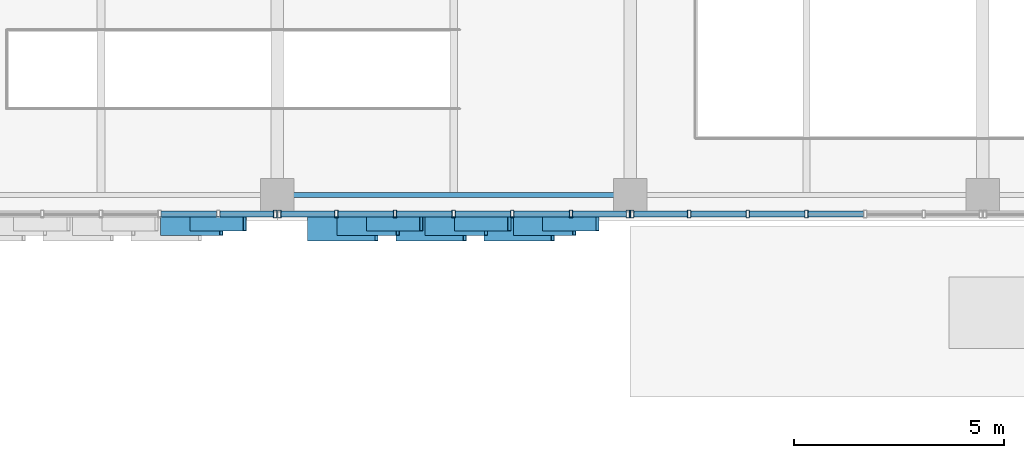
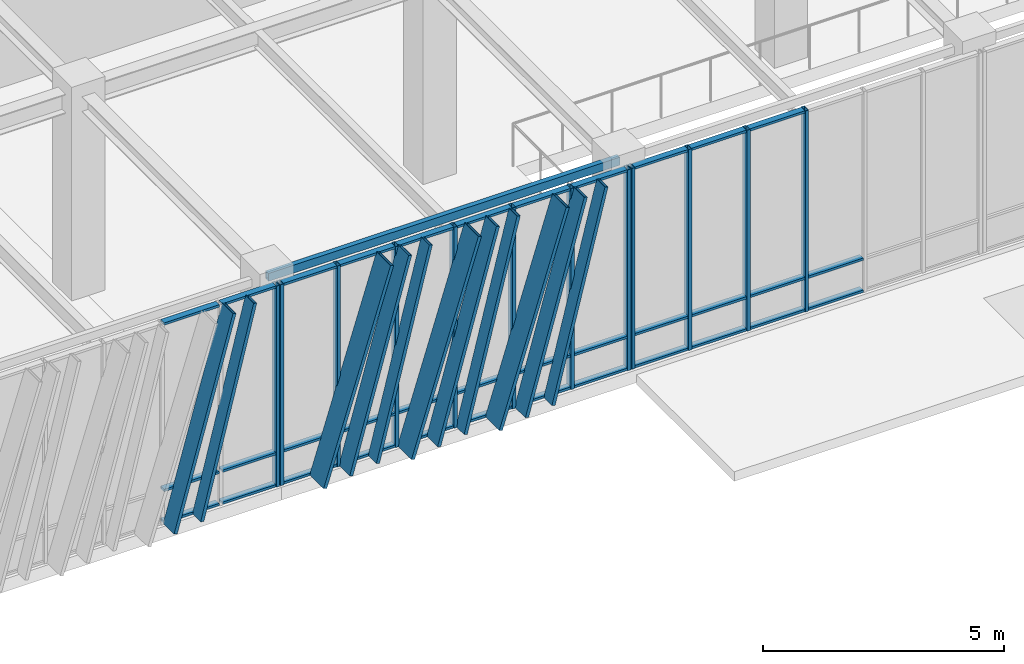
# One storey, part 16 of 139: 58 members, 1 beam, 3 elements without a shape of their own.
"""IFC4 building model written with IfcOpenShell, lengths in metres."""

from ifc_helpers import new_model, si_unit, direction, frame, origin, origin_2d, place, context, subcontext, project, spatial, hollow_rectangle, extrude, material, layer, layer_set, material_profile, profile_set, type_object, element, aggregate, save


model = new_model("IFC4")

# Units and contexts
model_context = context("Model", 3, precision=1e-05, world=origin(), true_north=direction((0.0, 1.0)))
body_context = subcontext(model_context, "Body", "Model", "MODEL_VIEW")
ifc_project = project(units=[si_unit("LENGTHUNIT", "METRE"), si_unit("AREAUNIT", "SQUARE_METRE"), si_unit("VOLUMEUNIT", "CUBIC_METRE"), si_unit("PLANEANGLEUNIT", "RADIAN"), si_unit("MASSUNIT", "GRAM", prefix="KILO")], contexts=[model_context])

# Site, building, storey
site_placement = place(None, origin())
site = spatial("IfcSite", under=ifc_project, at=site_placement, CompositionType="ELEMENT")
building_placement = place(site_placement, origin())
building = spatial("IfcBuilding", under=site, at=building_placement, Name="Zayran Congress Hotel", CompositionType="ELEMENT")
storey_placement = place(building_placement, frame((0.0, 0.0, 5.39990234375)))
storey = spatial("IfcBuildingStorey", under=building, at=storey_placement, Name="L01", CompositionType="ELEMENT", Elevation=5.39990234375)

# Beam
ifc_material_1 = material(Name="Steel S355", Category="steel")
ifc_material_profile_1 = material_profile(ifc_material_1, hollow_rectangle(XDim=0.1201171875, YDim=0.199951171875, WallThickness=0.008056640625, at=origin_2d()), Name="RHS 200x120x8")
ifc_profile_set_1 = profile_set([ifc_material_profile_1], Name="Steel S355")
beam_type = type_object("IfcBeamType", Name="TP-SP-02", PredefinedType="SPANDREL", material=ifc_profile_set_1)
beam_placement = place(storey_placement, frame((50.39990234375, 68.199951171875, 4.97998046875), z_axis=(1.0, 0.0, 0.0), x_axis=(0.0, 1.0, 0.0)))
element("IfcBeam", 1, at=beam_placement, inside=storey, type_object=beam_type, Name="BM-V1-L01-0518", PredefinedType="SPANDREL", context=body_context, shape_type="SweptSolid", body=[
    extrude(hollow_rectangle(XDim=0.1201171875, YDim=0.199951171875, WallThickness=0.008056640625, at=origin_2d()), origin(), (0.0, 0.0, 1.0), 8.400146484375),
])

# Curtain wall, member
ifc_material_2 = material(Name="Anodised aluminium and low-E insulated glass", Category="aluminium")
ifc_layer_1 = layer(ifc_material_2, 0.179931640625)
ifc_layer_set_1 = layer_set([ifc_layer_1], Name="Anodised aluminium and low-E insulated glass")
curtain_wall_type_1 = type_object("IfcCurtainWallType", Name="CW-V1S-L01-CW-12-8380-5080", PredefinedType="USERDEFINED", material=ifc_layer_set_1)
curtain_wall_1_placement = place(storey_placement, origin())
curtain_wall_1 = element("IfcCurtainWall", 2, at=curtain_wall_1_placement, inside=storey, type_object=curtain_wall_type_1, Name="CW-V1S-L01-4", ObjectType="CURTAIN WALL", PredefinedType="USERDEFINED")
ifc_material_3 = material(Name="Anodised aluminium framing", Category="aluminium")
ifc_material_profile_2 = material_profile(ifc_material_3, hollow_rectangle(XDim=0.080078125, YDim=0.179931640625, WallThickness=0.0048828125, at=origin_2d()), Name="RHS 180x80x5")
ifc_profile_set_2 = profile_set([ifc_material_profile_2], Name="Anodised aluminium framing")
member_type_1 = type_object("IfcMemberType", Name="TP-CWM-01", PredefinedType="MULLION", material=ifc_profile_set_2)
member_1_placement = place(storey_placement, frame((50.35009765625, 67.75, 0.0), z_axis=(0.0, 0.0, 1.0), x_axis=(1.0, 0.0, 0.0)))
member_1 = element("IfcMember", 3, at=member_1_placement, type_object=member_type_1, Name="CW-V1S-L01-4-M06", PredefinedType="MULLION", context=body_context, shape_type="SweptSolid", body=[
    extrude(hollow_rectangle(XDim=0.080078125, YDim=0.179931640625, WallThickness=0.0048828125, at=origin_2d()), origin(), (0.0, 0.0, 1.0), 5.080078125),
])

# Curtain wall, members
ifc_layer_2 = layer(ifc_material_2, 0.179931640625)
ifc_layer_set_2 = layer_set([ifc_layer_2], Name="Anodised aluminium and low-E insulated glass")
curtain_wall_type_2 = type_object("IfcCurtainWallType", Name="CW-V1S-L01-CW-13-8380-5080", PredefinedType="USERDEFINED", material=ifc_layer_set_2)
curtain_wall_2_placement = place(storey_placement, origin())
curtain_wall_2 = element("IfcCurtainWall", 4, at=curtain_wall_2_placement, inside=storey, type_object=curtain_wall_type_2, Name="CW-V1S-L01-5", ObjectType="CURTAIN WALL", PredefinedType="USERDEFINED")
member_2_placement = place(storey_placement, frame((50.449951171875, 67.75, 0.0), z_axis=(0.0, 0.0, 1.0), x_axis=(1.0, 0.0, 0.0)))
member_2 = element("IfcMember", 5, at=member_2_placement, type_object=member_type_1, Name="CW-V1S-L01-5-M00", PredefinedType="MULLION", context=body_context, shape_type="SweptSolid", body=[
    extrude(hollow_rectangle(XDim=0.080078125, YDim=0.179931640625, WallThickness=0.0048828125, at=origin_2d()), origin(), (0.0, 0.0, 1.0), 5.080078125),
])
member_3_placement = place(storey_placement, frame((51.806640625, 67.75, 0.0), z_axis=(0.0, 0.0, 1.0), x_axis=(1.0, 0.0, 0.0)))
member_3 = element("IfcMember", 6, at=member_3_placement, type_object=member_type_1, Name="CW-V1S-L01-5-M01", PredefinedType="MULLION", context=body_context, shape_type="SweptSolid", body=[
    extrude(hollow_rectangle(XDim=0.080078125, YDim=0.179931640625, WallThickness=0.0048828125, at=origin_2d()), origin(), (0.0, 0.0, 1.0), 5.080078125),
])
member_4_placement = place(storey_placement, frame((53.203369140625, 67.75, 0.0), z_axis=(0.0, 0.0, 1.0), x_axis=(1.0, 0.0, 0.0)))
member_4 = element("IfcMember", 7, at=member_4_placement, type_object=member_type_1, Name="CW-V1S-L01-5-M02", PredefinedType="MULLION", context=body_context, shape_type="SweptSolid", body=[
    extrude(hollow_rectangle(XDim=0.080078125, YDim=0.179931640625, WallThickness=0.0048828125, at=origin_2d()), origin(), (0.0, 0.0, 1.0), 5.080078125),
])
member_5_placement = place(storey_placement, frame((54.60009765625, 67.75, 0.0), z_axis=(0.0, 0.0, 1.0), x_axis=(1.0, 0.0, 0.0)))
member_5 = element("IfcMember", 8, at=member_5_placement, type_object=member_type_1, Name="CW-V1S-L01-5-M03", PredefinedType="MULLION", context=body_context, shape_type="SweptSolid", body=[
    extrude(hollow_rectangle(XDim=0.080078125, YDim=0.179931640625, WallThickness=0.0048828125, at=origin_2d()), origin(), (0.0, 0.0, 1.0), 5.080078125),
])
member_6_placement = place(storey_placement, frame((55.99658203125, 67.75, 0.0), z_axis=(0.0, 0.0, 1.0), x_axis=(1.0, 0.0, 0.0)))
member_6 = element("IfcMember", 9, at=member_6_placement, type_object=member_type_1, Name="CW-V1S-L01-5-M04", PredefinedType="MULLION", context=body_context, shape_type="SweptSolid", body=[
    extrude(hollow_rectangle(XDim=0.080078125, YDim=0.179931640625, WallThickness=0.0048828125, at=origin_2d()), origin(), (0.0, 0.0, 1.0), 5.080078125),
])
member_7_placement = place(storey_placement, frame((57.393310546875, 67.75, 0.0), z_axis=(0.0, 0.0, 1.0), x_axis=(1.0, 0.0, 0.0)))
member_7 = element("IfcMember", 10, at=member_7_placement, type_object=member_type_1, Name="CW-V1S-L01-5-M05", PredefinedType="MULLION", context=body_context, shape_type="SweptSolid", body=[
    extrude(hollow_rectangle(XDim=0.080078125, YDim=0.179931640625, WallThickness=0.0048828125, at=origin_2d()), origin(), (0.0, 0.0, 1.0), 5.080078125),
])
member_8_placement = place(storey_placement, frame((58.75, 67.75, 0.0), z_axis=(0.0, 0.0, 1.0), x_axis=(1.0, 0.0, 0.0)))
member_8 = element("IfcMember", 11, at=member_8_placement, type_object=member_type_1, Name="CW-V1S-L01-5-M06", PredefinedType="MULLION", context=body_context, shape_type="SweptSolid", body=[
    extrude(hollow_rectangle(XDim=0.080078125, YDim=0.179931640625, WallThickness=0.0048828125, at=origin_2d()), origin(), (0.0, 0.0, 1.0), 5.080078125),
])

ifc_layer_3 = layer(ifc_material_2, 0.179931640625)
ifc_layer_set_3 = layer_set([ifc_layer_3], Name="Anodised aluminium and low-E insulated glass")
curtain_wall_type_3 = type_object("IfcCurtainWallType", Name="CW-V1S-L01-CW-11-8380-5080", PredefinedType="USERDEFINED", material=ifc_layer_set_3)
curtain_wall_3_placement = place(storey_placement, origin())
curtain_wall_3 = element("IfcCurtainWall", 12, at=curtain_wall_3_placement, inside=storey, type_object=curtain_wall_type_3, Name="CW-V1S-L01-6", ObjectType="CURTAIN WALL", PredefinedType="USERDEFINED")
member_9_placement = place(storey_placement, frame((58.85009765625, 67.75, 0.0), z_axis=(0.0, 0.0, 1.0), x_axis=(1.0, 0.0, 0.0)))
member_9 = element("IfcMember", 13, at=member_9_placement, type_object=member_type_1, Name="CW-V1S-L01-6-M00", PredefinedType="MULLION", context=body_context, shape_type="SweptSolid", body=[
    extrude(hollow_rectangle(XDim=0.080078125, YDim=0.179931640625, WallThickness=0.0048828125, at=origin_2d()), origin(), (0.0, 0.0, 1.0), 5.080078125),
])
member_10_placement = place(storey_placement, frame((60.206787109375, 67.75, 0.0), z_axis=(0.0, 0.0, 1.0), x_axis=(1.0, 0.0, 0.0)))
member_10 = element("IfcMember", 14, at=member_10_placement, type_object=member_type_1, Name="CW-V1S-L01-6-M01", PredefinedType="MULLION", context=body_context, shape_type="SweptSolid", body=[
    extrude(hollow_rectangle(XDim=0.080078125, YDim=0.179931640625, WallThickness=0.0048828125, at=origin_2d()), origin(), (0.0, 0.0, 1.0), 5.080078125),
])
member_11_placement = place(storey_placement, frame((61.603271484375, 67.75, 0.0), z_axis=(0.0, 0.0, 1.0), x_axis=(1.0, 0.0, 0.0)))
member_11 = element("IfcMember", 15, at=member_11_placement, type_object=member_type_1, Name="CW-V1S-L01-6-M02", PredefinedType="MULLION", context=body_context, shape_type="SweptSolid", body=[
    extrude(hollow_rectangle(XDim=0.080078125, YDim=0.179931640625, WallThickness=0.0048828125, at=origin_2d()), origin(), (0.0, 0.0, 1.0), 5.080078125),
])
member_12_placement = place(storey_placement, frame((63.0, 67.75, 0.0), z_axis=(0.0, 0.0, 1.0), x_axis=(1.0, 0.0, 0.0)))
member_12 = element("IfcMember", 16, at=member_12_placement, type_object=member_type_1, Name="CW-V1S-L01-6-M03", PredefinedType="MULLION", context=body_context, shape_type="SweptSolid", body=[
    extrude(hollow_rectangle(XDim=0.080078125, YDim=0.179931640625, WallThickness=0.0048828125, at=origin_2d()), origin(), (0.0, 0.0, 1.0), 5.080078125),
])

# Member
ifc_material_profile_3 = material_profile(ifc_material_3, hollow_rectangle(XDim=0.06005859375, YDim=0.14990234375, WallThickness=0.00390625, at=origin_2d()), Name="RHS 150x60x4")
ifc_profile_set_3 = profile_set([ifc_material_profile_3], Name="Anodised aluminium framing")
member_type_2 = type_object("IfcMemberType", Name="TP-CWT-01", PredefinedType="USERDEFINED", material=ifc_profile_set_3)
member_13_placement = place(storey_placement, frame((47.63671875, 67.75, 0.030029296875), z_axis=(1.0, 0.0, 0.0), x_axis=(0.0, 0.0, 1.0)))
member_13 = element("IfcMember", 17, at=member_13_placement, type_object=member_type_2, Name="CW-V1S-L01-4-T04-0", ObjectType="TRANSOM", PredefinedType="USERDEFINED", context=body_context, shape_type="SweptSolid", body=[
    extrude(hollow_rectangle(XDim=0.06005859375, YDim=0.14990234375, WallThickness=0.00390625, at=origin_2d()), origin(), (0.0, 0.0, 1.0), 1.316650390625),
])

member_14_placement = place(storey_placement, frame((47.63671875, 67.75, 0.840087890625), z_axis=(1.0, 0.0, 0.0), x_axis=(0.0, 0.0, 1.0)))
member_14 = element("IfcMember", 18, at=member_14_placement, type_object=member_type_2, Name="CW-V1S-L01-4-T04-1", ObjectType="TRANSOM", PredefinedType="USERDEFINED", context=body_context, shape_type="SweptSolid", body=[
    extrude(hollow_rectangle(XDim=0.06005859375, YDim=0.14990234375, WallThickness=0.00390625, at=origin_2d()), origin(), (0.0, 0.0, 1.0), 1.316650390625),
])

member_15_placement = place(storey_placement, frame((47.63671875, 67.75, 5.050048828125), z_axis=(1.0, 0.0, 0.0), x_axis=(0.0, 0.0, 1.0)))
member_15 = element("IfcMember", 19, at=member_15_placement, type_object=member_type_2, Name="CW-V1S-L01-4-T04-2", ObjectType="TRANSOM", PredefinedType="USERDEFINED", context=body_context, shape_type="SweptSolid", body=[
    extrude(hollow_rectangle(XDim=0.06005859375, YDim=0.14990234375, WallThickness=0.00390625, at=origin_2d()), origin(), (0.0, 0.0, 1.0), 1.316650390625),
])

member_16_placement = place(storey_placement, frame((49.033203125, 67.75, 0.030029296875), z_axis=(1.0, 0.0, 0.0), x_axis=(0.0, 0.0, 1.0)))
member_16 = element("IfcMember", 20, at=member_16_placement, type_object=member_type_2, Name="CW-V1S-L01-4-T05-0", ObjectType="TRANSOM", PredefinedType="USERDEFINED", context=body_context, shape_type="SweptSolid", body=[
    extrude(hollow_rectangle(XDim=0.06005859375, YDim=0.14990234375, WallThickness=0.00390625, at=origin_2d()), origin(), (0.0, 0.0, 1.0), 1.27685546875),
])

member_17_placement = place(storey_placement, frame((49.033203125, 67.75, 0.840087890625), z_axis=(1.0, 0.0, 0.0), x_axis=(0.0, 0.0, 1.0)))
member_17 = element("IfcMember", 21, at=member_17_placement, type_object=member_type_2, Name="CW-V1S-L01-4-T05-1", ObjectType="TRANSOM", PredefinedType="USERDEFINED", context=body_context, shape_type="SweptSolid", body=[
    extrude(hollow_rectangle(XDim=0.06005859375, YDim=0.14990234375, WallThickness=0.00390625, at=origin_2d()), origin(), (0.0, 0.0, 1.0), 1.27685546875),
])

member_18_placement = place(storey_placement, frame((49.033203125, 67.75, 5.050048828125), z_axis=(1.0, 0.0, 0.0), x_axis=(0.0, 0.0, 1.0)))
member_18 = element("IfcMember", 22, at=member_18_placement, type_object=member_type_2, Name="CW-V1S-L01-4-T05-2", ObjectType="TRANSOM", PredefinedType="USERDEFINED", context=body_context, shape_type="SweptSolid", body=[
    extrude(hollow_rectangle(XDim=0.06005859375, YDim=0.14990234375, WallThickness=0.00390625, at=origin_2d()), origin(), (0.0, 0.0, 1.0), 1.27685546875),
])

member_19_placement = place(storey_placement, frame((50.489990234375, 67.75, 0.030029296875), z_axis=(1.0, 0.0, 0.0), x_axis=(0.0, 0.0, 1.0)))
member_19 = element("IfcMember", 23, at=member_19_placement, type_object=member_type_2, Name="CW-V1S-L01-5-T00-0", ObjectType="TRANSOM", PredefinedType="USERDEFINED", context=body_context, shape_type="SweptSolid", body=[
    extrude(hollow_rectangle(XDim=0.06005859375, YDim=0.14990234375, WallThickness=0.00390625, at=origin_2d()), origin(), (0.0, 0.0, 1.0), 1.276611328125),
])

member_20_placement = place(storey_placement, frame((50.489990234375, 67.75, 0.840087890625), z_axis=(1.0, 0.0, 0.0), x_axis=(0.0, 0.0, 1.0)))
member_20 = element("IfcMember", 24, at=member_20_placement, type_object=member_type_2, Name="CW-V1S-L01-5-T00-1", ObjectType="TRANSOM", PredefinedType="USERDEFINED", context=body_context, shape_type="SweptSolid", body=[
    extrude(hollow_rectangle(XDim=0.06005859375, YDim=0.14990234375, WallThickness=0.00390625, at=origin_2d()), origin(), (0.0, 0.0, 1.0), 1.276611328125),
])

member_21_placement = place(storey_placement, frame((50.489990234375, 67.75, 5.050048828125), z_axis=(1.0, 0.0, 0.0), x_axis=(0.0, 0.0, 1.0)))
member_21 = element("IfcMember", 25, at=member_21_placement, type_object=member_type_2, Name="CW-V1S-L01-5-T00-2", ObjectType="TRANSOM", PredefinedType="USERDEFINED", context=body_context, shape_type="SweptSolid", body=[
    extrude(hollow_rectangle(XDim=0.06005859375, YDim=0.14990234375, WallThickness=0.00390625, at=origin_2d()), origin(), (0.0, 0.0, 1.0), 1.276611328125),
])

member_22_placement = place(storey_placement, frame((51.8466796875, 67.75, 0.030029296875), z_axis=(1.0, 0.0, 0.0), x_axis=(0.0, 0.0, 1.0)))
member_22 = element("IfcMember", 26, at=member_22_placement, type_object=member_type_2, Name="CW-V1S-L01-5-T01-0", ObjectType="TRANSOM", PredefinedType="USERDEFINED", context=body_context, shape_type="SweptSolid", body=[
    extrude(hollow_rectangle(XDim=0.06005859375, YDim=0.14990234375, WallThickness=0.00390625, at=origin_2d()), origin(), (0.0, 0.0, 1.0), 1.316650390625),
])

member_23_placement = place(storey_placement, frame((51.8466796875, 67.75, 0.840087890625), z_axis=(1.0, 0.0, 0.0), x_axis=(0.0, 0.0, 1.0)))
member_23 = element("IfcMember", 27, at=member_23_placement, type_object=member_type_2, Name="CW-V1S-L01-5-T01-1", ObjectType="TRANSOM", PredefinedType="USERDEFINED", context=body_context, shape_type="SweptSolid", body=[
    extrude(hollow_rectangle(XDim=0.06005859375, YDim=0.14990234375, WallThickness=0.00390625, at=origin_2d()), origin(), (0.0, 0.0, 1.0), 1.316650390625),
])

member_24_placement = place(storey_placement, frame((51.8466796875, 67.75, 5.050048828125), z_axis=(1.0, 0.0, 0.0), x_axis=(0.0, 0.0, 1.0)))
member_24 = element("IfcMember", 28, at=member_24_placement, type_object=member_type_2, Name="CW-V1S-L01-5-T01-2", ObjectType="TRANSOM", PredefinedType="USERDEFINED", context=body_context, shape_type="SweptSolid", body=[
    extrude(hollow_rectangle(XDim=0.06005859375, YDim=0.14990234375, WallThickness=0.00390625, at=origin_2d()), origin(), (0.0, 0.0, 1.0), 1.316650390625),
])

member_25_placement = place(storey_placement, frame((53.243408203125, 67.75, 0.030029296875), z_axis=(1.0, 0.0, 0.0), x_axis=(0.0, 0.0, 1.0)))
member_25 = element("IfcMember", 29, at=member_25_placement, type_object=member_type_2, Name="CW-V1S-L01-5-T02-0", ObjectType="TRANSOM", PredefinedType="USERDEFINED", context=body_context, shape_type="SweptSolid", body=[
    extrude(hollow_rectangle(XDim=0.06005859375, YDim=0.14990234375, WallThickness=0.00390625, at=origin_2d()), origin(), (0.0, 0.0, 1.0), 1.316650390625),
])

member_26_placement = place(storey_placement, frame((53.243408203125, 67.75, 0.840087890625), z_axis=(1.0, 0.0, 0.0), x_axis=(0.0, 0.0, 1.0)))
member_26 = element("IfcMember", 30, at=member_26_placement, type_object=member_type_2, Name="CW-V1S-L01-5-T02-1", ObjectType="TRANSOM", PredefinedType="USERDEFINED", context=body_context, shape_type="SweptSolid", body=[
    extrude(hollow_rectangle(XDim=0.06005859375, YDim=0.14990234375, WallThickness=0.00390625, at=origin_2d()), origin(), (0.0, 0.0, 1.0), 1.316650390625),
])

member_27_placement = place(storey_placement, frame((53.243408203125, 67.75, 5.050048828125), z_axis=(1.0, 0.0, 0.0), x_axis=(0.0, 0.0, 1.0)))
member_27 = element("IfcMember", 31, at=member_27_placement, type_object=member_type_2, Name="CW-V1S-L01-5-T02-2", ObjectType="TRANSOM", PredefinedType="USERDEFINED", context=body_context, shape_type="SweptSolid", body=[
    extrude(hollow_rectangle(XDim=0.06005859375, YDim=0.14990234375, WallThickness=0.00390625, at=origin_2d()), origin(), (0.0, 0.0, 1.0), 1.316650390625),
])

member_28_placement = place(storey_placement, frame((54.639892578125, 67.75, 0.030029296875), z_axis=(1.0, 0.0, 0.0), x_axis=(0.0, 0.0, 1.0)))
member_28 = element("IfcMember", 32, at=member_28_placement, type_object=member_type_2, Name="CW-V1S-L01-5-T03-0", ObjectType="TRANSOM", PredefinedType="USERDEFINED", context=body_context, shape_type="SweptSolid", body=[
    extrude(hollow_rectangle(XDim=0.06005859375, YDim=0.14990234375, WallThickness=0.00390625, at=origin_2d()), origin(), (0.0, 0.0, 1.0), 1.31689453125),
])

member_29_placement = place(storey_placement, frame((54.639892578125, 67.75, 0.840087890625), z_axis=(1.0, 0.0, 0.0), x_axis=(0.0, 0.0, 1.0)))
member_29 = element("IfcMember", 33, at=member_29_placement, type_object=member_type_2, Name="CW-V1S-L01-5-T03-1", ObjectType="TRANSOM", PredefinedType="USERDEFINED", context=body_context, shape_type="SweptSolid", body=[
    extrude(hollow_rectangle(XDim=0.06005859375, YDim=0.14990234375, WallThickness=0.00390625, at=origin_2d()), origin(), (0.0, 0.0, 1.0), 1.31689453125),
])

member_30_placement = place(storey_placement, frame((54.639892578125, 67.75, 5.050048828125), z_axis=(1.0, 0.0, 0.0), x_axis=(0.0, 0.0, 1.0)))
member_30 = element("IfcMember", 34, at=member_30_placement, type_object=member_type_2, Name="CW-V1S-L01-5-T03-2", ObjectType="TRANSOM", PredefinedType="USERDEFINED", context=body_context, shape_type="SweptSolid", body=[
    extrude(hollow_rectangle(XDim=0.06005859375, YDim=0.14990234375, WallThickness=0.00390625, at=origin_2d()), origin(), (0.0, 0.0, 1.0), 1.31689453125),
])

member_31_placement = place(storey_placement, frame((56.03662109375, 67.75, 0.030029296875), z_axis=(1.0, 0.0, 0.0), x_axis=(0.0, 0.0, 1.0)))
member_31 = element("IfcMember", 35, at=member_31_placement, type_object=member_type_2, Name="CW-V1S-L01-5-T04-0", ObjectType="TRANSOM", PredefinedType="USERDEFINED", context=body_context, shape_type="SweptSolid", body=[
    extrude(hollow_rectangle(XDim=0.06005859375, YDim=0.14990234375, WallThickness=0.00390625, at=origin_2d()), origin(), (0.0, 0.0, 1.0), 1.316650390625),
])

member_32_placement = place(storey_placement, frame((56.03662109375, 67.75, 0.840087890625), z_axis=(1.0, 0.0, 0.0), x_axis=(0.0, 0.0, 1.0)))
member_32 = element("IfcMember", 36, at=member_32_placement, type_object=member_type_2, Name="CW-V1S-L01-5-T04-1", ObjectType="TRANSOM", PredefinedType="USERDEFINED", context=body_context, shape_type="SweptSolid", body=[
    extrude(hollow_rectangle(XDim=0.06005859375, YDim=0.14990234375, WallThickness=0.00390625, at=origin_2d()), origin(), (0.0, 0.0, 1.0), 1.316650390625),
])

member_33_placement = place(storey_placement, frame((56.03662109375, 67.75, 5.050048828125), z_axis=(1.0, 0.0, 0.0), x_axis=(0.0, 0.0, 1.0)))
member_33 = element("IfcMember", 37, at=member_33_placement, type_object=member_type_2, Name="CW-V1S-L01-5-T04-2", ObjectType="TRANSOM", PredefinedType="USERDEFINED", context=body_context, shape_type="SweptSolid", body=[
    extrude(hollow_rectangle(XDim=0.06005859375, YDim=0.14990234375, WallThickness=0.00390625, at=origin_2d()), origin(), (0.0, 0.0, 1.0), 1.316650390625),
])

member_34_placement = place(storey_placement, frame((57.433349609375, 67.75, 0.030029296875), z_axis=(1.0, 0.0, 0.0), x_axis=(0.0, 0.0, 1.0)))
member_34 = element("IfcMember", 38, at=member_34_placement, type_object=member_type_2, Name="CW-V1S-L01-5-T05-0", ObjectType="TRANSOM", PredefinedType="USERDEFINED", context=body_context, shape_type="SweptSolid", body=[
    extrude(hollow_rectangle(XDim=0.06005859375, YDim=0.14990234375, WallThickness=0.00390625, at=origin_2d()), origin(), (0.0, 0.0, 1.0), 1.276611328125),
])

member_35_placement = place(storey_placement, frame((57.433349609375, 67.75, 0.840087890625), z_axis=(1.0, 0.0, 0.0), x_axis=(0.0, 0.0, 1.0)))
member_35 = element("IfcMember", 39, at=member_35_placement, type_object=member_type_2, Name="CW-V1S-L01-5-T05-1", ObjectType="TRANSOM", PredefinedType="USERDEFINED", context=body_context, shape_type="SweptSolid", body=[
    extrude(hollow_rectangle(XDim=0.06005859375, YDim=0.14990234375, WallThickness=0.00390625, at=origin_2d()), origin(), (0.0, 0.0, 1.0), 1.276611328125),
])

member_36_placement = place(storey_placement, frame((57.433349609375, 67.75, 5.050048828125), z_axis=(1.0, 0.0, 0.0), x_axis=(0.0, 0.0, 1.0)))
member_36 = element("IfcMember", 40, at=member_36_placement, type_object=member_type_2, Name="CW-V1S-L01-5-T05-2", ObjectType="TRANSOM", PredefinedType="USERDEFINED", context=body_context, shape_type="SweptSolid", body=[
    extrude(hollow_rectangle(XDim=0.06005859375, YDim=0.14990234375, WallThickness=0.00390625, at=origin_2d()), origin(), (0.0, 0.0, 1.0), 1.276611328125),
])

member_37_placement = place(storey_placement, frame((58.889892578125, 67.75, 0.030029296875), z_axis=(1.0, 0.0, 0.0), x_axis=(0.0, 0.0, 1.0)))
member_37 = element("IfcMember", 41, at=member_37_placement, type_object=member_type_2, Name="CW-V1S-L01-6-T00-0", ObjectType="TRANSOM", PredefinedType="USERDEFINED", context=body_context, shape_type="SweptSolid", body=[
    extrude(hollow_rectangle(XDim=0.06005859375, YDim=0.14990234375, WallThickness=0.00390625, at=origin_2d()), origin(), (0.0, 0.0, 1.0), 1.27685546875),
])

member_38_placement = place(storey_placement, frame((58.889892578125, 67.75, 0.840087890625), z_axis=(1.0, 0.0, 0.0), x_axis=(0.0, 0.0, 1.0)))
member_38 = element("IfcMember", 42, at=member_38_placement, type_object=member_type_2, Name="CW-V1S-L01-6-T00-1", ObjectType="TRANSOM", PredefinedType="USERDEFINED", context=body_context, shape_type="SweptSolid", body=[
    extrude(hollow_rectangle(XDim=0.06005859375, YDim=0.14990234375, WallThickness=0.00390625, at=origin_2d()), origin(), (0.0, 0.0, 1.0), 1.27685546875),
])

member_39_placement = place(storey_placement, frame((58.889892578125, 67.75, 5.050048828125), z_axis=(1.0, 0.0, 0.0), x_axis=(0.0, 0.0, 1.0)))
member_39 = element("IfcMember", 43, at=member_39_placement, type_object=member_type_2, Name="CW-V1S-L01-6-T00-2", ObjectType="TRANSOM", PredefinedType="USERDEFINED", context=body_context, shape_type="SweptSolid", body=[
    extrude(hollow_rectangle(XDim=0.06005859375, YDim=0.14990234375, WallThickness=0.00390625, at=origin_2d()), origin(), (0.0, 0.0, 1.0), 1.27685546875),
])

member_40_placement = place(storey_placement, frame((60.24658203125, 67.75, 0.030029296875), z_axis=(1.0, 0.0, 0.0), x_axis=(0.0, 0.0, 1.0)))
member_40 = element("IfcMember", 44, at=member_40_placement, type_object=member_type_2, Name="CW-V1S-L01-6-T01-0", ObjectType="TRANSOM", PredefinedType="USERDEFINED", context=body_context, shape_type="SweptSolid", body=[
    extrude(hollow_rectangle(XDim=0.06005859375, YDim=0.14990234375, WallThickness=0.00390625, at=origin_2d()), origin(), (0.0, 0.0, 1.0), 1.316650390625),
])

member_41_placement = place(storey_placement, frame((60.24658203125, 67.75, 0.840087890625), z_axis=(1.0, 0.0, 0.0), x_axis=(0.0, 0.0, 1.0)))
member_41 = element("IfcMember", 45, at=member_41_placement, type_object=member_type_2, Name="CW-V1S-L01-6-T01-1", ObjectType="TRANSOM", PredefinedType="USERDEFINED", context=body_context, shape_type="SweptSolid", body=[
    extrude(hollow_rectangle(XDim=0.06005859375, YDim=0.14990234375, WallThickness=0.00390625, at=origin_2d()), origin(), (0.0, 0.0, 1.0), 1.316650390625),
])

member_42_placement = place(storey_placement, frame((60.24658203125, 67.75, 5.050048828125), z_axis=(1.0, 0.0, 0.0), x_axis=(0.0, 0.0, 1.0)))
member_42 = element("IfcMember", 46, at=member_42_placement, type_object=member_type_2, Name="CW-V1S-L01-6-T01-2", ObjectType="TRANSOM", PredefinedType="USERDEFINED", context=body_context, shape_type="SweptSolid", body=[
    extrude(hollow_rectangle(XDim=0.06005859375, YDim=0.14990234375, WallThickness=0.00390625, at=origin_2d()), origin(), (0.0, 0.0, 1.0), 1.316650390625),
])

member_43_placement = place(storey_placement, frame((61.643310546875, 67.75, 0.030029296875), z_axis=(1.0, 0.0, 0.0), x_axis=(0.0, 0.0, 1.0)))
member_43 = element("IfcMember", 47, at=member_43_placement, type_object=member_type_2, Name="CW-V1S-L01-6-T02-0", ObjectType="TRANSOM", PredefinedType="USERDEFINED", context=body_context, shape_type="SweptSolid", body=[
    extrude(hollow_rectangle(XDim=0.06005859375, YDim=0.14990234375, WallThickness=0.00390625, at=origin_2d()), origin(), (0.0, 0.0, 1.0), 1.316650390625),
])

member_44_placement = place(storey_placement, frame((61.643310546875, 67.75, 0.840087890625), z_axis=(1.0, 0.0, 0.0), x_axis=(0.0, 0.0, 1.0)))
member_44 = element("IfcMember", 48, at=member_44_placement, type_object=member_type_2, Name="CW-V1S-L01-6-T02-1", ObjectType="TRANSOM", PredefinedType="USERDEFINED", context=body_context, shape_type="SweptSolid", body=[
    extrude(hollow_rectangle(XDim=0.06005859375, YDim=0.14990234375, WallThickness=0.00390625, at=origin_2d()), origin(), (0.0, 0.0, 1.0), 1.316650390625),
])

member_45_placement = place(storey_placement, frame((61.643310546875, 67.75, 5.050048828125), z_axis=(1.0, 0.0, 0.0), x_axis=(0.0, 0.0, 1.0)))
member_45 = element("IfcMember", 49, at=member_45_placement, type_object=member_type_2, Name="CW-V1S-L01-6-T02-2", ObjectType="TRANSOM", PredefinedType="USERDEFINED", context=body_context, shape_type="SweptSolid", body=[
    extrude(hollow_rectangle(XDim=0.06005859375, YDim=0.14990234375, WallThickness=0.00390625, at=origin_2d()), origin(), (0.0, 0.0, 1.0), 1.316650390625),
])

member_46_placement = place(storey_placement, frame((63.0400390625, 67.75, 0.030029296875), z_axis=(1.0, 0.0, 0.0), x_axis=(0.0, 0.0, 1.0)))
member_46 = element("IfcMember", 50, at=member_46_placement, type_object=member_type_2, Name="CW-V1S-L01-6-T03-0", ObjectType="TRANSOM", PredefinedType="USERDEFINED", context=body_context, shape_type="SweptSolid", body=[
    extrude(hollow_rectangle(XDim=0.06005859375, YDim=0.14990234375, WallThickness=0.00390625, at=origin_2d()), origin(), (0.0, 0.0, 1.0), 1.316650390625),
])

member_47_placement = place(storey_placement, frame((63.0400390625, 67.75, 0.840087890625), z_axis=(1.0, 0.0, 0.0), x_axis=(0.0, 0.0, 1.0)))
member_47 = element("IfcMember", 51, at=member_47_placement, type_object=member_type_2, Name="CW-V1S-L01-6-T03-1", ObjectType="TRANSOM", PredefinedType="USERDEFINED", context=body_context, shape_type="SweptSolid", body=[
    extrude(hollow_rectangle(XDim=0.06005859375, YDim=0.14990234375, WallThickness=0.00390625, at=origin_2d()), origin(), (0.0, 0.0, 1.0), 1.316650390625),
])

aggregate(curtain_wall_3, [member_9, member_10, member_11, member_12, member_37, member_38, member_39, member_40, member_41, member_42, member_43, member_44, member_45, member_46, member_47])

ifc_material_4 = material(Name="Warm bronze anodised aluminium", Category="aluminium")
ifc_material_profile_4 = material_profile(ifc_material_4, hollow_rectangle(XDim=0.080078125, YDim=0.580078125, WallThickness=0.006103515625, at=origin_2d()), Name="RHS 580x80x6")
ifc_profile_set_4 = profile_set([ifc_material_profile_4], Name="Warm bronze anodised aluminium")
member_type_3 = type_object("IfcMemberType", Name="TP-RFN-01", PredefinedType="MULLION", material=ifc_profile_set_4)
member_48_placement = place(storey_placement, frame((51.159912109375, 67.39990234375, 0.0), z_axis=(0.300716755525, 0.0, 0.953713496259), x_axis=(-0.953713496259, 0.0, 0.300716755525)))
member_48 = element("IfcMember", 52, at=member_48_placement, type_object=member_type_3, Name="Slanting Reed Mullion CW-13-01", PredefinedType="MULLION", context=body_context, shape_type="SweptSolid", body=[
    extrude(hollow_rectangle(XDim=0.080078125, YDim=0.580078125, WallThickness=0.006103515625, at=origin_2d()), origin(), (0.0, 0.0, 1.0), 5.32666015625),
])

member_49_placement = place(storey_placement, frame((53.260009765625, 67.39990234375, 0.0), z_axis=(0.300716755525, 0.0, 0.953713496259), x_axis=(-0.953713496259, 0.0, 0.300716755525)))
member_49 = element("IfcMember", 53, at=member_49_placement, type_object=member_type_3, Name="Slanting Reed Mullion CW-13-04", PredefinedType="MULLION", context=body_context, shape_type="SweptSolid", body=[
    extrude(hollow_rectangle(XDim=0.080078125, YDim=0.580078125, WallThickness=0.006103515625, at=origin_2d()), origin(), (0.0, 0.0, 1.0), 5.32666015625),
])

member_50_placement = place(storey_placement, frame((55.360107421875, 67.39990234375, 0.0), z_axis=(0.300675065474, 0.0, 0.953726640606), x_axis=(-0.953726640606, 0.0, 0.300675065474)))
member_50 = element("IfcMember", 54, at=member_50_placement, type_object=member_type_3, Name="Slanting Reed Mullion CW-13-07", PredefinedType="MULLION", context=body_context, shape_type="SweptSolid", body=[
    extrude(hollow_rectangle(XDim=0.080078125, YDim=0.580078125, WallThickness=0.006103515625, at=origin_2d()), origin(), (0.0, 0.0, 1.0), 5.32666015625),
])

ifc_material_profile_5 = material_profile(ifc_material_4, hollow_rectangle(XDim=0.080078125, YDim=0.449951171875, WallThickness=0.006103515625, at=origin_2d()), Name="RHS 450x80x6")
ifc_profile_set_5 = profile_set([ifc_material_profile_5], Name="Warm bronze anodised aluminium")
member_type_4 = type_object("IfcMemberType", Name="TP-RFN-02", PredefinedType="MULLION", material=ifc_profile_set_5)
member_51_placement = place(storey_placement, frame((47.659912109375, 67.465087890625, 0.0), z_axis=(0.267256905477, 0.0, 0.96362531436), x_axis=(-0.96362531436, 0.0, 0.267256905477)))
member_51 = element("IfcMember", 55, at=member_51_placement, type_object=member_type_4, Name="Slanting Reed Mullion CW-12-08", PredefinedType="MULLION", context=body_context, shape_type="SweptSolid", body=[
    extrude(hollow_rectangle(XDim=0.080078125, YDim=0.449951171875, WallThickness=0.006103515625, at=origin_2d()), origin(), (0.0, 0.0, 1.0), 5.271728515625),
])

member_52_placement = place(storey_placement, frame((51.860107421875, 67.465087890625, 0.0), z_axis=(0.267213902124, 0.0, 0.963637240102), x_axis=(-0.963637240102, 0.0, 0.267213902124)))
member_52 = element("IfcMember", 56, at=member_52_placement, type_object=member_type_4, Name="Slanting Reed Mullion CW-13-02", PredefinedType="MULLION", context=body_context, shape_type="SweptSolid", body=[
    extrude(hollow_rectangle(XDim=0.080078125, YDim=0.449951171875, WallThickness=0.006103515625, at=origin_2d()), origin(), (0.0, 0.0, 1.0), 5.271728515625),
])

member_53_placement = place(storey_placement, frame((53.9599609375, 67.465087890625, 0.0), z_axis=(0.267256905477, 0.0, 0.96362531436), x_axis=(-0.96362531436, 0.0, 0.267256905477)))
member_53 = element("IfcMember", 57, at=member_53_placement, type_object=member_type_4, Name="Slanting Reed Mullion CW-13-05", PredefinedType="MULLION", context=body_context, shape_type="SweptSolid", body=[
    extrude(hollow_rectangle(XDim=0.080078125, YDim=0.449951171875, WallThickness=0.006103515625, at=origin_2d()), origin(), (0.0, 0.0, 1.0), 5.271728515625),
])

member_54_placement = place(storey_placement, frame((56.06005859375, 67.465087890625, 0.0), z_axis=(0.267213902124, 0.0, 0.963637240102), x_axis=(-0.963637240102, 0.0, 0.267213902124)))
member_54 = element("IfcMember", 58, at=member_54_placement, type_object=member_type_4, Name="Slanting Reed Mullion CW-13-08", PredefinedType="MULLION", context=body_context, shape_type="SweptSolid", body=[
    extrude(hollow_rectangle(XDim=0.080078125, YDim=0.449951171875, WallThickness=0.006103515625, at=origin_2d()), origin(), (0.0, 0.0, 1.0), 5.271728515625),
])

ifc_material_profile_6 = material_profile(ifc_material_4, hollow_rectangle(XDim=0.080078125, YDim=0.340087890625, WallThickness=0.006103515625, at=origin_2d()), Name="RHS 340x80x6")
ifc_profile_set_6 = profile_set([ifc_material_profile_6], Name="Warm bronze anodised aluminium")
member_type_5 = type_object("IfcMemberType", Name="TP-RFN-03", PredefinedType="MULLION", material=ifc_profile_set_6)
member_55_placement = place(storey_placement, frame((48.360107421875, 67.52001953125, 0.0), z_axis=(0.241921145618, 0.0, 0.970295913267), x_axis=(-0.970295913267, 0.0, 0.241921145618)))
member_55 = element("IfcMember", 59, at=member_55_placement, type_object=member_type_5, Name="Slanting Reed Mullion CW-12-09", PredefinedType="MULLION", context=body_context, shape_type="SweptSolid", body=[
    extrude(hollow_rectangle(XDim=0.080078125, YDim=0.340087890625, WallThickness=0.006103515625, at=origin_2d()), origin(), (0.0, 0.0, 1.0), 5.235595703125),
])

aggregate(curtain_wall_1, [member_1, member_13, member_14, member_15, member_16, member_17, member_18, member_51, member_55])

member_56_placement = place(storey_placement, frame((52.56005859375, 67.52001953125, 0.0), z_axis=(0.241921145618, 0.0, 0.970295913267), x_axis=(-0.970295913267, 0.0, 0.241921145618)))
member_56 = element("IfcMember", 60, at=member_56_placement, type_object=member_type_5, Name="Slanting Reed Mullion CW-13-03", PredefinedType="MULLION", context=body_context, shape_type="SweptSolid", body=[
    extrude(hollow_rectangle(XDim=0.080078125, YDim=0.340087890625, WallThickness=0.006103515625, at=origin_2d()), origin(), (0.0, 0.0, 1.0), 5.235595703125),
])

member_57_placement = place(storey_placement, frame((54.659912109375, 67.52001953125, 0.0), z_axis=(0.241921145618, 0.0, 0.970295913267), x_axis=(-0.970295913267, 0.0, 0.241921145618)))
member_57 = element("IfcMember", 61, at=member_57_placement, type_object=member_type_5, Name="Slanting Reed Mullion CW-13-06", PredefinedType="MULLION", context=body_context, shape_type="SweptSolid", body=[
    extrude(hollow_rectangle(XDim=0.080078125, YDim=0.340087890625, WallThickness=0.006103515625, at=origin_2d()), origin(), (0.0, 0.0, 1.0), 5.235595703125),
])

member_58_placement = place(storey_placement, frame((56.760009765625, 67.52001953125, 0.0), z_axis=(0.241921145618, 0.0, 0.970295913267), x_axis=(-0.970295913267, 0.0, 0.241921145618)))
member_58 = element("IfcMember", 62, at=member_58_placement, type_object=member_type_5, Name="Slanting Reed Mullion CW-13-09", PredefinedType="MULLION", context=body_context, shape_type="SweptSolid", body=[
    extrude(hollow_rectangle(XDim=0.080078125, YDim=0.340087890625, WallThickness=0.006103515625, at=origin_2d()), origin(), (0.0, 0.0, 1.0), 5.235595703125),
])

aggregate(curtain_wall_2, [member_2, member_3, member_4, member_5, member_6, member_7, member_8, member_19, member_20, member_21, member_22, member_23, member_24, member_25, member_26, member_27, member_28, member_29, member_30, member_31, member_32, member_33, member_34, member_35, member_36, member_48, member_52, member_56, member_49, member_53, member_57, member_50, member_54, member_58])

save(model, "model.ifc")
